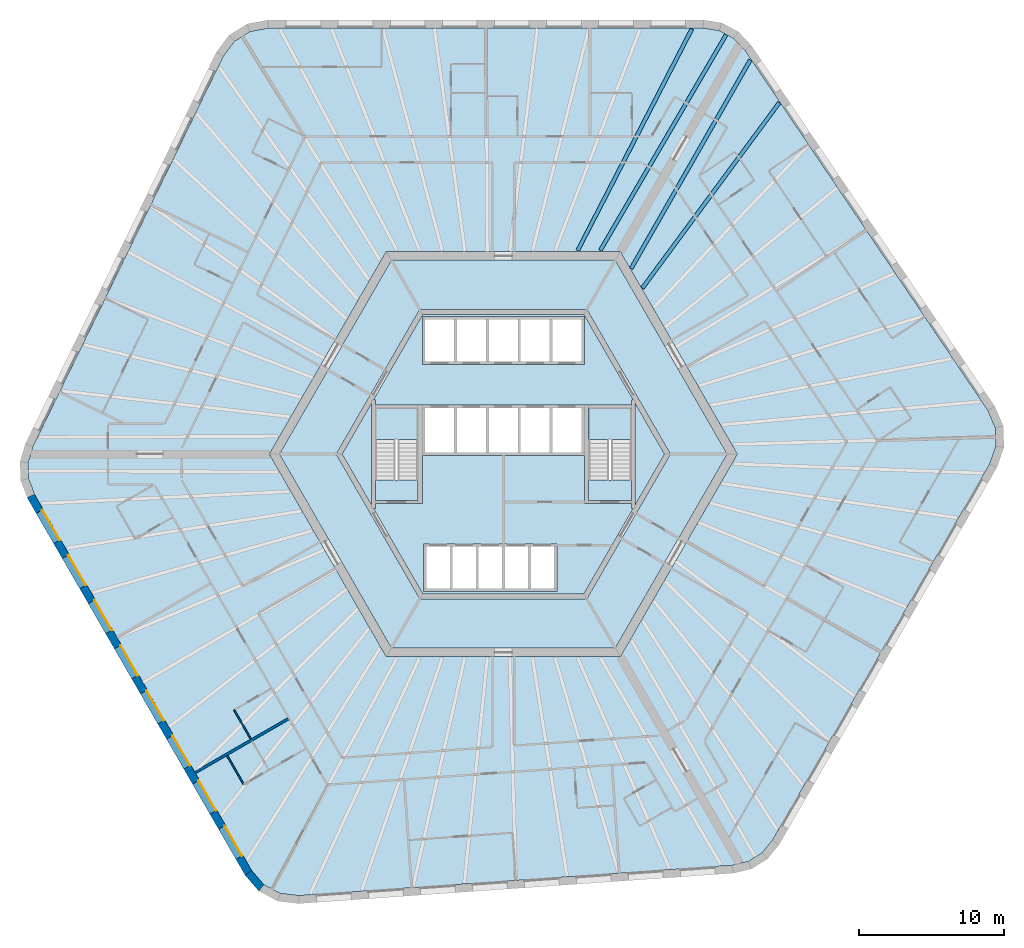
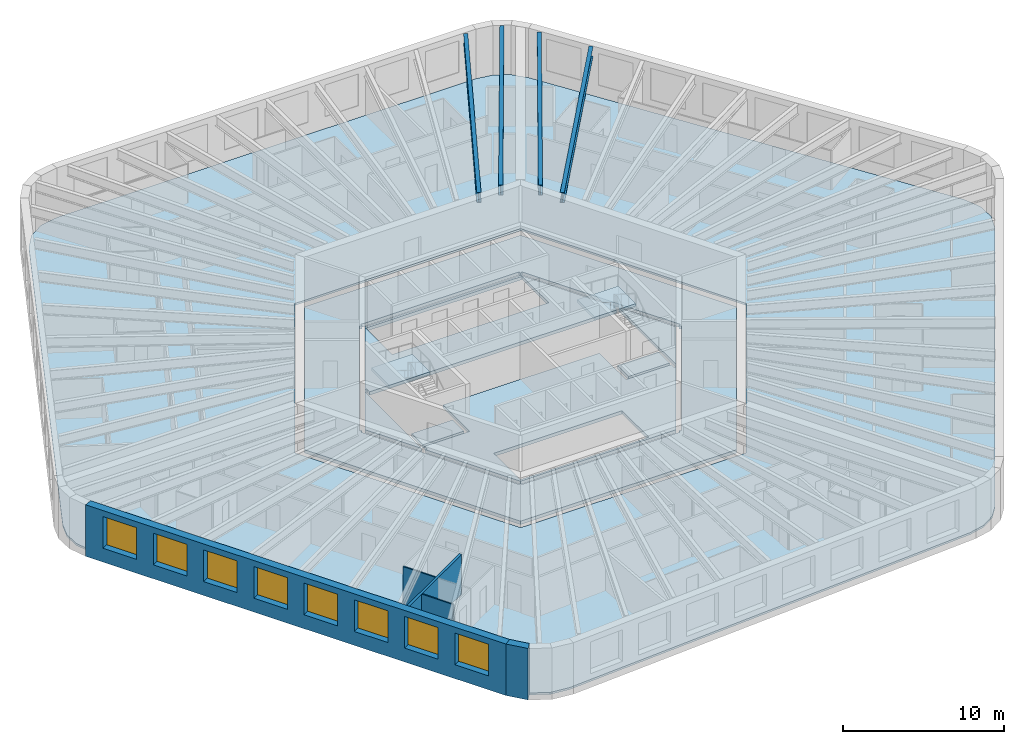
# One storey, part 2 of 12: 10 slabs, 8 windows, 5 walls, 4 beams, 8 openings, 2 elements without a shape of their own.
"""IFC4 building model written with IfcOpenShell, lengths in metres."""

from ifc_helpers import new_model, si_unit, direction, frame, frame_2d, origin, origin_2d, place, context, subcontext, project, spatial, polyline, rectangle, i_section, outline, extrude, material, layer, layer_set, material_profile, profile_set, type_object, element, fill, aggregate, save


model = new_model("IFC4")

# Units and contexts
model_context = context("Model", 3, precision=1e-05, world=origin(), true_north=direction((0.0, 1.0)))
body_context = subcontext(model_context, "Body", "Model", "MODEL_VIEW")
ifc_project = project(units=[si_unit("LENGTHUNIT", "METRE"), si_unit("AREAUNIT", "SQUARE_METRE"), si_unit("VOLUMEUNIT", "CUBIC_METRE"), si_unit("PLANEANGLEUNIT", "RADIAN"), si_unit("MASSUNIT", "GRAM", prefix="KILO")], contexts=[model_context])

# Site, building, storey
site_placement = place(None, origin())
site = spatial("IfcSite", under=ifc_project, at=site_placement, CompositionType="ELEMENT")
building_placement = place(site_placement, origin())
building = spatial("IfcBuilding", under=site, at=building_placement, Name="Tarnside Tower", CompositionType="ELEMENT")
storey_placement = place(building_placement, frame((0.0, 0.0, 119.39990234375)))
storey = spatial("IfcBuildingStorey", under=building, at=storey_placement, Name="L27", CompositionType="ELEMENT", Elevation=119.39990234375)

# Beams
ifc_material_1 = material(Name="Steel S355", Category="steel")
ifc_material_profile = material_profile(ifc_material_1, i_section(OverallWidth=0.2666015625, OverallDepth=0.76220703125, WebThickness=0.014404296875, FlangeThickness=0.021484375, FilletRadius=0.0166015625, at=origin_2d()), Name="UB 762x267x173")
ifc_profile_set = profile_set([ifc_material_profile], Name="Steel S355")
beam_type = type_object("IfcBeamType", Name="Floor beam UB 762x267x173", PredefinedType="BEAM", material=ifc_profile_set)
beam_1_placement = place(storey_placement, frame((13.0283203125, 29.37890625, 3.368896484375), z_axis=(-0.457973226459, -0.888965985765, 0.0), x_axis=(0.888965985765, -0.457973226459, 0.0)))
element("IfcBeam", 1, at=beam_1_placement, inside=storey, type_object=beam_type, Name="Floor beam F1.01", PredefinedType="BEAM", context=body_context, shape_type="SweptSolid", body=[
    extrude(i_section(OverallWidth=0.2666015625, OverallDepth=0.76220703125, WebThickness=0.014404296875, FlangeThickness=0.021484375, FilletRadius=0.0166015625, at=origin_2d()), origin(), (0.0, 0.0, 1.0), 17.219970703125),
])
beam_2_placement = place(storey_placement, frame((19.072021484375, 24.28857421875, 3.368896484375), z_axis=(-0.593986893499, -0.804474717037, 0.0), x_axis=(0.804474717037, -0.593986893499, 0.0)))
element("IfcBeam", 2, at=beam_2_placement, inside=storey, type_object=beam_type, Name="Floor beam F6.08", PredefinedType="BEAM", context=body_context, shape_type="SweptSolid", body=[
    extrude(i_section(OverallWidth=0.2666015625, OverallDepth=0.76220703125, WebThickness=0.014404296875, FlangeThickness=0.021484375, FilletRadius=0.0166015625, at=origin_2d()), origin(), (0.0, 0.0, 1.0), 15.934326171875),
])
beam_3_placement = place(storey_placement, frame((17.066162109375, 27.235107421875, 3.368896484375), z_axis=(-0.49622611841, -0.868193319145, 0.0), x_axis=(0.868193319145, -0.49622611841, 0.0)))
element("IfcBeam", 3, at=beam_3_placement, inside=storey, type_object=beam_type, Name="Floor beam F6.09", PredefinedType="BEAM", context=body_context, shape_type="SweptSolid", body=[
    extrude(i_section(OverallWidth=0.2666015625, OverallDepth=0.76220703125, WebThickness=0.014404296875, FlangeThickness=0.021484375, FilletRadius=0.0166015625, at=origin_2d()), origin(), (0.0, 0.0, 1.0), 16.586669921875),
])
beam_4_placement = place(storey_placement, frame((15.4013671875, 28.990478515625, 3.368896484375), z_axis=(-0.503858723096, -0.863786077198, 0.0), x_axis=(0.863786077198, -0.503858723096, 0.0)))
element("IfcBeam", 4, at=beam_4_placement, inside=storey, type_object=beam_type, Name="Floor beam C6", PredefinedType="BEAM", context=body_context, shape_type="SweptSolid", body=[
    extrude(i_section(OverallWidth=0.2666015625, OverallDepth=0.76220703125, WebThickness=0.014404296875, FlangeThickness=0.021484375, FilletRadius=0.0166015625, at=origin_2d()), origin(), (0.0, 0.0, 1.0), 17.2744140625),
])

# Slabs
ifc_material_2 = material(Name="Concrete C35/45", Category="concrete")
ifc_layer_1 = layer(ifc_material_2, 0.14990234375)
ifc_layer_set_1 = layer_set([ifc_layer_1], Name="Composite floor slab 150")
slab_type_1 = type_object("IfcSlabType", Name="Composite floor slab 150", PredefinedType="FLOOR", material=ifc_layer_set_1)
slab_1_placement = place(storey_placement, frame((0.0, 0.0, -0.14990234375)))
element("IfcSlab", 5, at=slab_1_placement, inside=storey, type_object=slab_type_1, Name="Floor slab L27", PredefinedType="FLOOR", context=body_context, shape_type="SweptSolid", body=[
    extrude(outline(polyline([(14.927490234375, 29.264892578125), (15.91455078125, 28.740234375), (16.697265625, 27.91064453125), (33.48583984375, 3.0205078125), (34.001220703125, 1.825439453125), (34.0458984375, 0.55078125), (33.614990234375, -0.67724609375), (18.603515625, -26.677978515625), (17.880615234375, -27.56005859375), (16.9326171875, -28.15234375), (15.82275390625, -28.41552734375), (-14.127197265625, -30.509765625), (-15.419921875, -30.358642578125), (-16.5458984375, -29.760009765625), (-17.39404296875, -28.772705078125), (-32.405517578125, -2.772216796875), (-32.80810546875, -1.704833984375), (-32.846923828125, -0.587890625), (-32.52001953125, 0.5048828125), (-19.358642578125, 27.4892578125), (-18.58154296875, 28.533203125), (-17.5, 29.208984375), (-16.220947265625, 29.449951171875), (13.802001953125, 29.449951171875), (14.927490234375, 29.264892578125)]), holes=[polyline([(-16.165771484375, 0.0), (-8.0830078125, -14.0), (8.0830078125, -14.0), (16.165771484375, 0.0), (8.0830078125, 14.0), (-8.0830078125, 14.0), (-16.165771484375, 0.0)])]), origin(), (0.0, 0.0, 1.0), 0.14990234375),
])
ifc_material_3 = material(Name="Concrete C40/50", Category="concrete")
ifc_layer_2 = layer(ifc_material_3, 0.25)
ifc_layer_set_2 = layer_set([ifc_layer_2], Name="Core slab C40/50")
slab_type_2 = type_object("IfcSlabType", Name="Core slab C40/50", PredefinedType="FLOOR", material=ifc_layer_set_2)
slab_2_placement = place(storey_placement, frame((0.0, 0.0, -0.25)))
element("IfcSlab", 6, at=slab_2_placement, inside=storey, type_object=slab_type_2, Name="L27 core floor slab 1", PredefinedType="FLOOR", context=body_context, shape_type="SweptSolid", body=[
    extrude(outline(polyline([(-15.472900390625, 0.0), (-7.736572265625, 13.39990234375), (7.736572265625, 13.39990234375), (15.472900390625, 0.0), (7.736572265625, -13.39990234375), (-7.736572265625, -13.39990234375), (-15.472900390625, 0.0)]), holes=[polyline([(5.823974609375, -9.91259765625), (11.49658203125, -0.08740234375), (11.344970703125, 0.0), (11.49658203125, 0.08740234375), (5.823974609375, 9.91259765625), (5.672607421875, 9.824951171875), (5.672607421875, 10.0), (-5.672607421875, 10.0), (-5.672607421875, 9.824951171875), (-5.823974609375, 9.91259765625), (-11.49658203125, 0.08740234375), (-11.344970703125, 0.0), (-11.49658203125, -0.08740234375), (-5.823974609375, -9.91259765625), (-5.672607421875, -9.824951171875), (-5.672607421875, -10.0), (5.672607421875, -10.0), (5.672607421875, -9.824951171875), (5.823974609375, -9.91259765625)])]), origin(), (0.0, 0.0, 1.0), 0.25),
])
slab_3_placement = place(storey_placement, frame((0.0, 0.0, -0.25)))
element("IfcSlab", 7, at=slab_3_placement, inside=storey, type_object=slab_type_2, Name="L27 core floor slab 2", PredefinedType="FLOOR", context=body_context, shape_type="SweptSolid", body=[
    extrude(outline(polyline([(-8.97509765625, 3.7548828125), (-5.5712890625, 9.64990234375), (5.5712890625, 9.64990234375), (8.97509765625, 3.7548828125), (8.85009765625, 3.7548828125), (8.85009765625, 3.39990234375), (5.89990234375, 3.39990234375), (5.60009765625, 3.39990234375), (5.60009765625, 3.39990234375), (-5.60009765625, 3.39990234375), (-5.89990234375, 3.39990234375), (-8.85009765625, 3.39990234375), (-8.85009765625, 3.7548828125), (-8.97509765625, 3.7548828125)]), holes=[polyline([(-5.60009765625, 6.199951171875), (5.60009765625, 6.199951171875), (5.60009765625, 6.39990234375), (5.60009765625, 9.300048828125), (5.60009765625, 9.5), (-5.60009765625, 9.5), (-5.60009765625, 9.300048828125), (-5.60009765625, 6.39990234375), (-5.60009765625, 6.199951171875)])]), origin(), (0.0, 0.0, 1.0), 0.25),
])
slab_4_placement = place(storey_placement, frame((0.0, 0.0, -0.25)))
element("IfcSlab", 8, at=slab_4_placement, inside=storey, type_object=slab_type_2, Name="L27 core floor slab 3", PredefinedType="FLOOR", context=body_context, shape_type="SweptSolid", body=[
    extrude(outline(polyline([(5.60009765625, -3.39990234375), (5.89990234375, -3.39990234375), (8.85009765625, -3.39990234375), (8.85009765625, -3.7548828125), (8.97509765625, -3.7548828125), (5.5712890625, -9.64990234375), (-5.5712890625, -9.64990234375), (-8.97509765625, -3.7548828125), (-8.85009765625, -3.7548828125), (-8.85009765625, -3.39990234375), (-5.89990234375, -3.39990234375), (-5.60009765625, -3.39990234375), (-5.60009765625, -0.10009765625), (5.60009765625, -0.10009765625), (5.60009765625, -3.39990234375)]), holes=[polyline([(-5.5, -9.300048828125), (-5.5, -9.5), (3.699951171875, -9.5), (3.699951171875, -9.300048828125), (3.699951171875, -6.39990234375), (3.699951171875, -6.199951171875), (-5.5, -6.199951171875), (-5.5, -6.39990234375), (-5.5, -9.300048828125)])]), origin(), (0.0, 0.0, 1.0), 0.25),
])
slab_5_placement = place(storey_placement, frame((0.0, 0.0, -0.25)))
element("IfcSlab", 9, at=slab_5_placement, inside=storey, type_object=slab_type_2, Name="L27 core floor slab 4", PredefinedType="FLOOR", context=body_context, shape_type="SweptSolid", body=[
    extrude(outline(polyline([(-11.142822265625, 0.0), (-9.10009765625, 3.538330078125), (-9.10009765625, -3.538330078125), (-11.142822265625, 0.0)])), origin(), (0.0, 0.0, 1.0), 0.25),
])
slab_6_placement = place(storey_placement, frame((0.0, 0.0, -0.25)))
element("IfcSlab", 10, at=slab_6_placement, inside=storey, type_object=slab_type_2, Name="L27 core floor slab 5", PredefinedType="FLOOR", context=body_context, shape_type="SweptSolid", body=[
    extrude(outline(polyline([(-8.85009765625, -1.800048828125), (-5.89990234375, -1.800048828125), (-5.89990234375, -3.199951171875), (-8.85009765625, -3.199951171875), (-8.85009765625, -1.800048828125)])), origin(), (0.0, 0.0, 1.0), 0.25),
])
slab_7_placement = place(storey_placement, frame((0.0, 0.0, -0.25)))
element("IfcSlab", 11, at=slab_7_placement, inside=storey, type_object=slab_type_2, Name="L27 core floor slab 6", PredefinedType="FLOOR", context=body_context, shape_type="SweptSolid", body=[
    extrude(outline(polyline([(5.89990234375, -3.199951171875), (5.89990234375, -1.800048828125), (8.85009765625, -1.800048828125), (8.85009765625, -3.199951171875), (5.89990234375, -3.199951171875)])), origin(), (0.0, 0.0, 1.0), 0.25),
])
slab_8_placement = place(storey_placement, frame((0.0, 0.0, -0.25)))
element("IfcSlab", 12, at=slab_8_placement, inside=storey, type_object=slab_type_2, Name="L27 core floor slab 7", PredefinedType="FLOOR", context=body_context, shape_type="SweptSolid", body=[
    extrude(outline(polyline([(9.10009765625, -3.538330078125), (9.10009765625, 3.538330078125), (11.142822265625, 0.0), (9.10009765625, -3.538330078125)])), origin(), (0.0, 0.0, 1.0), 0.25),
])

# Stair, slab
stair_type = type_object("IfcStairType", Name="Exit stair 1400 clear", PredefinedType="HALF_TURN_STAIR", material=ifc_material_3)
stair_1_placement = place(storey_placement, origin())
stair_1 = element("IfcStair", 13, at=stair_1_placement, inside=storey, type_object=stair_type, Name="L27 Exit stair 1", PredefinedType="HALF_TURN_STAIR")
ifc_layer_3 = layer(ifc_material_3, 0.199951171875)
ifc_layer_set_3 = layer_set([ifc_layer_3], Name="Stair landing 200 C40/50")
slab_type_3 = type_object("IfcSlabType", Name="Stair landing 200 C40/50", PredefinedType="LANDING", material=ifc_layer_set_3)
slab_9_placement = place(storey_placement, frame((0.0, 0.0, 1.75)))
slab_9 = element("IfcSlab", 14, at=slab_9_placement, type_object=slab_type_3, Name="ST1 landing 1", PredefinedType="LANDING", context=body_context, shape_type="SweptSolid", body=[
    extrude(outline(polyline([(8.85009765625, 1.0), (8.85009765625, 3.199951171875), (5.89990234375, 3.199951171875), (5.89990234375, 1.0), (8.85009765625, 1.0)])), origin(), (0.0, 0.0, 1.0), 0.2001953125),
])
aggregate(stair_1, [slab_9])

stair_2_placement = place(storey_placement, origin())
stair_2 = element("IfcStair", 15, at=stair_2_placement, inside=storey, type_object=stair_type, Name="L27 Exit stair 2", PredefinedType="HALF_TURN_STAIR")
slab_10_placement = place(storey_placement, frame((0.0, 0.0, 1.75)))
slab_10 = element("IfcSlab", 16, at=slab_10_placement, type_object=slab_type_3, Name="ST2 landing 1", PredefinedType="LANDING", context=body_context, shape_type="SweptSolid", body=[
    extrude(outline(polyline([(-5.89990234375, 1.0), (-5.89990234375, 3.199951171875), (-8.85009765625, 3.199951171875), (-8.85009765625, 1.0), (-5.89990234375, 1.0)])), origin(), (0.0, 0.0, 1.0), 0.2001953125),
])
aggregate(stair_2, [slab_10])

# Walls
ifc_material_4 = material(Name="Gypsum board partition on steel studs", Category="steel")
ifc_layer_4 = layer(ifc_material_4, 0.10009765625)
ifc_layer_set_4 = layer_set([ifc_layer_4], Name="Bathroom wall 100")
wall_type_1 = type_object("IfcWallType", Name="Bathroom wall 100", PredefinedType="PARTITIONING", material=ifc_layer_set_4)
wall_1_placement = place(storey_placement, frame((-17.44677734375, -19.68115234375, 0.0), z_axis=(0.0, 0.0, 1.0), x_axis=(-0.500015210774, 0.866016621662, 0.0)))
element("IfcWall", 17, at=wall_1_placement, inside=storey, type_object=wall_type_1, Name="Bathroom wall 08104", PredefinedType="PARTITIONING", context=body_context, shape_type="SweptSolid", body=[
    extrude(rectangle(XDim=2.31005859375, YDim=0.10009765625, at=frame_2d((1.155029296875, 0.0))), origin(), (0.0, 0.0, 1.0), 2.98779296875),
])
ifc_layer_5 = layer(ifc_material_4, 0.179931640625)
ifc_layer_set_5 = layer_set([ifc_layer_5], Name="Demising wall 180 EI 60")
wall_type_2 = type_object("IfcWallType", Name="Demising wall 180 EI 60", PredefinedType="PARTITIONING", material=ifc_layer_set_5)
wall_2_placement = place(storey_placement, frame((-21.298828125, -22.00927734375, 0.0), z_axis=(0.0, 0.0, 1.0), x_axis=(0.866014745021, 0.500018461065, 0.0)))
element("IfcWall", 18, at=wall_2_placement, inside=storey, type_object=wall_type_2, Name="Demising wall 08106", PredefinedType="PARTITIONING", context=body_context, shape_type="SweptSolid", body=[
    extrude(rectangle(XDim=7.425048828125, YDim=0.179931640625, at=frame_2d((3.71240234375, 0.0))), origin(), (0.0, 0.0, 1.0), 2.98779296875),
])
ifc_layer_6 = layer(ifc_material_4, 0.10009765625)
ifc_layer_set_6 = layer_set([ifc_layer_6], Name="Partition 100")
wall_type_3 = type_object("IfcWallType", Name="Partition 100", PredefinedType="PARTITIONING", material=ifc_layer_set_6)
wall_3_placement = place(storey_placement, frame((-17.958740234375, -22.79443359375, 0.0), z_axis=(0.0, 0.0, 1.0), x_axis=(-0.500031020067, 0.8660074936, 0.0)))
element("IfcWall", 19, at=wall_3_placement, inside=storey, type_object=wall_type_3, Name="Partition wall 08111", PredefinedType="PARTITIONING", context=body_context, shape_type="SweptSolid", body=[
    extrude(rectangle(XDim=2.260009765625, YDim=0.10009765625, at=frame_2d((1.1298828125, 0.0))), origin(), (0.0, 0.0, 1.0), 2.98779296875),
])

# Wall, openings, windows
ifc_material_5 = material(Name="Facing brick", Category="masonry")
ifc_layer_7 = layer(ifc_material_5, 0.10205078125)
ifc_material_6 = material(Name="Concrete C60/75 precast", Category="concrete")
ifc_layer_8 = layer(ifc_material_6, 0.347900390625)
ifc_material_7 = material(Name="Mineral wool insulation")
ifc_layer_9 = layer(ifc_material_7, 0.10009765625)
ifc_layer_set_7 = layer_set([ifc_layer_7, ifc_layer_8, ifc_layer_9], Name="Tube wall 550 brick faced")
wall_type_4 = type_object("IfcWallType", Name="Tube wall 550 brick faced", PredefinedType="SOLIDWALL", material=ifc_layer_set_7)
wall_4_placement = place(storey_placement, frame((-32.65478515625, -2.89013671875, -0.14990234375), z_axis=(0.0, 0.0, 1.0), x_axis=(0.499997711317, -0.866026725152, 0.0)))
wall_4 = element("IfcWall", 20, at=wall_4_placement, inside=storey, type_object=wall_type_4, Name="Tube wall L27 F3 flush 08", PredefinedType="SOLIDWALL", context=body_context, shape_type="SweptSolid", body=[
    extrude(outline(polyline([(-0.0224609375, -0.27490234375), (30.0966796875, -0.27490234375), (30.04541015625, 0.27490234375), (0.0224609375, 0.27490234375), (-0.0224609375, -0.27490234375)])), origin(), (0.0, 0.0, 1.0), 3.89990234375),
])
opening_1_placement = place(wall_4_placement, frame((1.235595703125, 0.0, 1.050048828125)))
opening_1 = element("IfcOpeningElement", 21, at=opening_1_placement, cuts=wall_4, Name="Opening WH", PredefinedType="OPENING", context=body_context, shape_type="SweptSolid", body=[
    extrude(rectangle(XDim=2.39990234375, YDim=2.39990234375, at=frame_2d((1.199951171875, 1.199951171875))), frame((0.0, 0.28515625, 0.0), z_axis=(0.0, -1.0, 0.0), x_axis=(1.0, 0.0, 0.0)), (0.0, 0.0, 1.0), 0.570068359375),
])
opening_2_placement = place(wall_4_placement, frame((4.83544921875, 0.0, 1.050048828125)))
opening_2 = element("IfcOpeningElement", 22, at=opening_2_placement, cuts=wall_4, Name="Opening WH", PredefinedType="OPENING", context=body_context, shape_type="SweptSolid", body=[
    extrude(rectangle(XDim=2.39990234375, YDim=2.39990234375, at=frame_2d((1.199951171875, 1.199951171875))), frame((0.0, 0.28515625, 0.0), z_axis=(0.0, -1.0, 0.0), x_axis=(1.0, 0.0, 0.0)), (0.0, 0.0, 1.0), 0.570068359375),
])
opening_3_placement = place(wall_4_placement, frame((8.435546875, 0.0, 1.050048828125)))
opening_3 = element("IfcOpeningElement", 23, at=opening_3_placement, cuts=wall_4, Name="Opening WH", PredefinedType="OPENING", context=body_context, shape_type="SweptSolid", body=[
    extrude(rectangle(XDim=2.39990234375, YDim=2.39990234375, at=frame_2d((1.199951171875, 1.199951171875))), frame((0.0, 0.28515625, 0.0), z_axis=(0.0, -1.0, 0.0), x_axis=(1.0, 0.0, 0.0)), (0.0, 0.0, 1.0), 0.570068359375),
])
opening_4_placement = place(wall_4_placement, frame((12.035400390625, 0.0, 1.050048828125)))
opening_4 = element("IfcOpeningElement", 24, at=opening_4_placement, cuts=wall_4, Name="Opening WH", PredefinedType="OPENING", context=body_context, shape_type="SweptSolid", body=[
    extrude(rectangle(XDim=2.39990234375, YDim=2.39990234375, at=frame_2d((1.199951171875, 1.199951171875))), frame((0.0, 0.28515625, 0.0), z_axis=(0.0, -1.0, 0.0), x_axis=(1.0, 0.0, 0.0)), (0.0, 0.0, 1.0), 0.570068359375),
])
opening_5_placement = place(wall_4_placement, frame((15.635498046875, 0.0, 1.050048828125)))
opening_5 = element("IfcOpeningElement", 25, at=opening_5_placement, cuts=wall_4, Name="Opening WH", PredefinedType="OPENING", context=body_context, shape_type="SweptSolid", body=[
    extrude(rectangle(XDim=2.39990234375, YDim=2.39990234375, at=frame_2d((1.199951171875, 1.199951171875))), frame((0.0, 0.28515625, 0.0), z_axis=(0.0, -1.0, 0.0), x_axis=(1.0, 0.0, 0.0)), (0.0, 0.0, 1.0), 0.570068359375),
])
opening_6_placement = place(wall_4_placement, frame((19.235595703125, 0.0, 1.050048828125)))
opening_6 = element("IfcOpeningElement", 26, at=opening_6_placement, cuts=wall_4, Name="Opening WH", PredefinedType="OPENING", context=body_context, shape_type="SweptSolid", body=[
    extrude(rectangle(XDim=2.39990234375, YDim=2.39990234375, at=frame_2d((1.199951171875, 1.199951171875))), frame((0.0, 0.28515625, 0.0), z_axis=(0.0, -1.0, 0.0), x_axis=(1.0, 0.0, 0.0)), (0.0, 0.0, 1.0), 0.570068359375),
])
opening_7_placement = place(wall_4_placement, frame((22.83544921875, 0.0, 1.050048828125)))
opening_7 = element("IfcOpeningElement", 27, at=opening_7_placement, cuts=wall_4, Name="Opening WH", PredefinedType="OPENING", context=body_context, shape_type="SweptSolid", body=[
    extrude(rectangle(XDim=2.39990234375, YDim=2.39990234375, at=frame_2d((1.199951171875, 1.199951171875))), frame((0.0, 0.28515625, 0.0), z_axis=(0.0, -1.0, 0.0), x_axis=(1.0, 0.0, 0.0)), (0.0, 0.0, 1.0), 0.570068359375),
])
opening_8_placement = place(wall_4_placement, frame((26.435546875, 0.0, 1.050048828125)))
opening_8 = element("IfcOpeningElement", 28, at=opening_8_placement, cuts=wall_4, Name="Opening WH", PredefinedType="OPENING", context=body_context, shape_type="SweptSolid", body=[
    extrude(rectangle(XDim=2.39990234375, YDim=2.39990234375, at=frame_2d((1.199951171875, 1.199951171875))), frame((0.0, 0.28515625, 0.0), z_axis=(0.0, -1.0, 0.0), x_axis=(1.0, 0.0, 0.0)), (0.0, 0.0, 1.0), 0.570068359375),
])
ifc_material_8 = material(Name="Aluminium-framed double glazing", Category="aluminium")
window_type = type_object("IfcWindowType", Name="Hotel window 2400 x 2400", PartitioningType="DOUBLE_PANEL_VERTICAL", PredefinedType="WINDOW", material=ifc_material_8)
window_1_placement = place(opening_1_placement, frame((0.0, 0.205078125, 0.0)))
window_1 = element("IfcWindow", 29, at=window_1_placement, inside=storey, type_object=window_type, Name="E.WN.L27.F3.00", OverallHeight=2.39990234375, OverallWidth=2.39990234375, PartitioningType="DOUBLE_PANEL_VERTICAL", PredefinedType="WINDOW", context=body_context, shape_type="SweptSolid", body=[
    extrude(rectangle(XDim=2.39990234375, YDim=2.39990234375, at=frame_2d((1.199951171875, 1.199951171875))), frame((0.0, 0.030029296875, 0.0), z_axis=(0.0, -1.0, 0.0), x_axis=(1.0, 0.0, 0.0)), (0.0, 0.0, 1.0), 0.06005859375),
])
fill(opening_1, window_1)
window_2_placement = place(opening_2_placement, frame((0.0, 0.205078125, 0.0)))
window_2 = element("IfcWindow", 30, at=window_2_placement, inside=storey, type_object=window_type, Name="E.WN.L27.F3.01", OverallHeight=2.39990234375, OverallWidth=2.39990234375, PartitioningType="DOUBLE_PANEL_VERTICAL", PredefinedType="WINDOW", context=body_context, shape_type="SweptSolid", body=[
    extrude(rectangle(XDim=2.39990234375, YDim=2.39990234375, at=frame_2d((1.199951171875, 1.199951171875))), frame((0.0, 0.030029296875, 0.0), z_axis=(0.0, -1.0, 0.0), x_axis=(1.0, 0.0, 0.0)), (0.0, 0.0, 1.0), 0.06005859375),
])
fill(opening_2, window_2)
window_3_placement = place(opening_3_placement, frame((0.0, 0.205078125, 0.0)))
window_3 = element("IfcWindow", 31, at=window_3_placement, inside=storey, type_object=window_type, Name="E.WN.L27.F3.02", OverallHeight=2.39990234375, OverallWidth=2.39990234375, PartitioningType="DOUBLE_PANEL_VERTICAL", PredefinedType="WINDOW", context=body_context, shape_type="SweptSolid", body=[
    extrude(rectangle(XDim=2.39990234375, YDim=2.39990234375, at=frame_2d((1.199951171875, 1.199951171875))), frame((0.0, 0.030029296875, 0.0), z_axis=(0.0, -1.0, 0.0), x_axis=(1.0, 0.0, 0.0)), (0.0, 0.0, 1.0), 0.06005859375),
])
fill(opening_3, window_3)
window_4_placement = place(opening_4_placement, frame((0.0, 0.205078125, 0.0)))
window_4 = element("IfcWindow", 32, at=window_4_placement, inside=storey, type_object=window_type, Name="E.WN.L27.F3.03", OverallHeight=2.39990234375, OverallWidth=2.39990234375, PartitioningType="DOUBLE_PANEL_VERTICAL", PredefinedType="WINDOW", context=body_context, shape_type="SweptSolid", body=[
    extrude(rectangle(XDim=2.39990234375, YDim=2.39990234375, at=frame_2d((1.199951171875, 1.199951171875))), frame((0.0, 0.030029296875, 0.0), z_axis=(0.0, -1.0, 0.0), x_axis=(1.0, 0.0, 0.0)), (0.0, 0.0, 1.0), 0.06005859375),
])
fill(opening_4, window_4)
window_5_placement = place(opening_5_placement, frame((0.0, 0.205078125, 0.0)))
window_5 = element("IfcWindow", 33, at=window_5_placement, inside=storey, type_object=window_type, Name="E.WN.L27.F3.04", OverallHeight=2.39990234375, OverallWidth=2.39990234375, PartitioningType="DOUBLE_PANEL_VERTICAL", PredefinedType="WINDOW", context=body_context, shape_type="SweptSolid", body=[
    extrude(rectangle(XDim=2.39990234375, YDim=2.39990234375, at=frame_2d((1.199951171875, 1.199951171875))), frame((0.0, 0.030029296875, 0.0), z_axis=(0.0, -1.0, 0.0), x_axis=(1.0, 0.0, 0.0)), (0.0, 0.0, 1.0), 0.06005859375),
])
fill(opening_5, window_5)
window_6_placement = place(opening_6_placement, frame((0.0, 0.205078125, 0.0)))
window_6 = element("IfcWindow", 34, at=window_6_placement, inside=storey, type_object=window_type, Name="E.WN.L27.F3.05", OverallHeight=2.39990234375, OverallWidth=2.39990234375, PartitioningType="DOUBLE_PANEL_VERTICAL", PredefinedType="WINDOW", context=body_context, shape_type="SweptSolid", body=[
    extrude(rectangle(XDim=2.39990234375, YDim=2.39990234375, at=frame_2d((1.199951171875, 1.199951171875))), frame((0.0, 0.030029296875, 0.0), z_axis=(0.0, -1.0, 0.0), x_axis=(1.0, 0.0, 0.0)), (0.0, 0.0, 1.0), 0.06005859375),
])
fill(opening_6, window_6)
window_7_placement = place(opening_7_placement, frame((0.0, 0.205078125, 0.0)))
window_7 = element("IfcWindow", 35, at=window_7_placement, inside=storey, type_object=window_type, Name="E.WN.L27.F3.06", OverallHeight=2.39990234375, OverallWidth=2.39990234375, PartitioningType="DOUBLE_PANEL_VERTICAL", PredefinedType="WINDOW", context=body_context, shape_type="SweptSolid", body=[
    extrude(rectangle(XDim=2.39990234375, YDim=2.39990234375, at=frame_2d((1.199951171875, 1.199951171875))), frame((0.0, 0.030029296875, 0.0), z_axis=(0.0, -1.0, 0.0), x_axis=(1.0, 0.0, 0.0)), (0.0, 0.0, 1.0), 0.06005859375),
])
fill(opening_7, window_7)
window_8_placement = place(opening_8_placement, frame((0.0, 0.205078125, 0.0)))
window_8 = element("IfcWindow", 36, at=window_8_placement, inside=storey, type_object=window_type, Name="E.WN.L27.F3.07", OverallHeight=2.39990234375, OverallWidth=2.39990234375, PartitioningType="DOUBLE_PANEL_VERTICAL", PredefinedType="WINDOW", context=body_context, shape_type="SweptSolid", body=[
    extrude(rectangle(XDim=2.39990234375, YDim=2.39990234375, at=frame_2d((1.199951171875, 1.199951171875))), frame((0.0, 0.030029296875, 0.0), z_axis=(0.0, -1.0, 0.0), x_axis=(1.0, 0.0, 0.0)), (0.0, 0.0, 1.0), 0.06005859375),
])
fill(opening_8, window_8)

# Wall
wall_5_placement = place(storey_placement, frame((-17.619384765625, -28.932373046875, -0.14990234375), z_axis=(0.0, 0.0, 1.0), x_axis=(0.651621950847, -0.758543890078, 0.0)))
element("IfcWall", 37, at=wall_5_placement, inside=storey, type_object=wall_type_4, Name="Tube wall L27 F3 chord 09", PredefinedType="SOLIDWALL", context=body_context, shape_type="SweptSolid", body=[
    extrude(outline(polyline([(-0.025634765625, -0.27490234375), (1.430908203125, -0.27490234375), (1.327392578125, 0.27490234375), (0.025634765625, 0.27490234375), (-0.025634765625, -0.27490234375)])), origin(), (0.0, 0.0, 1.0), 3.89990234375),
])

save(model, "model.ifc")
